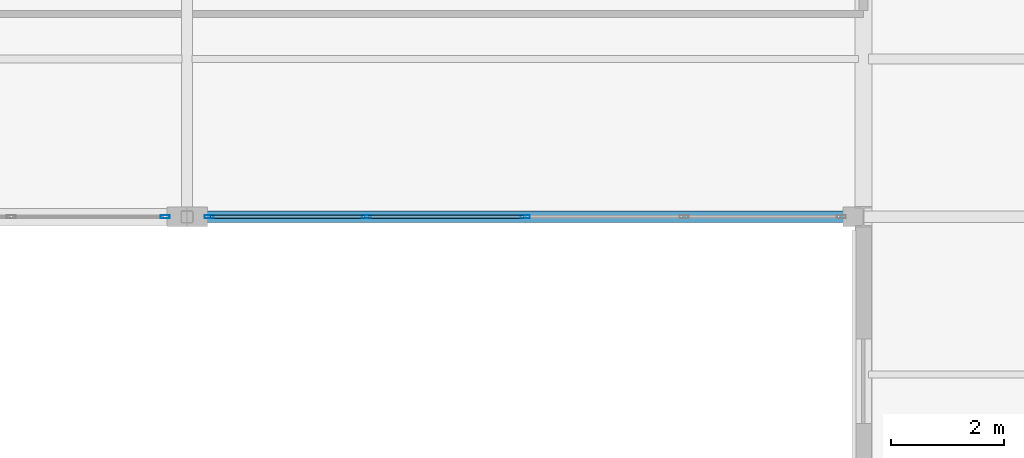
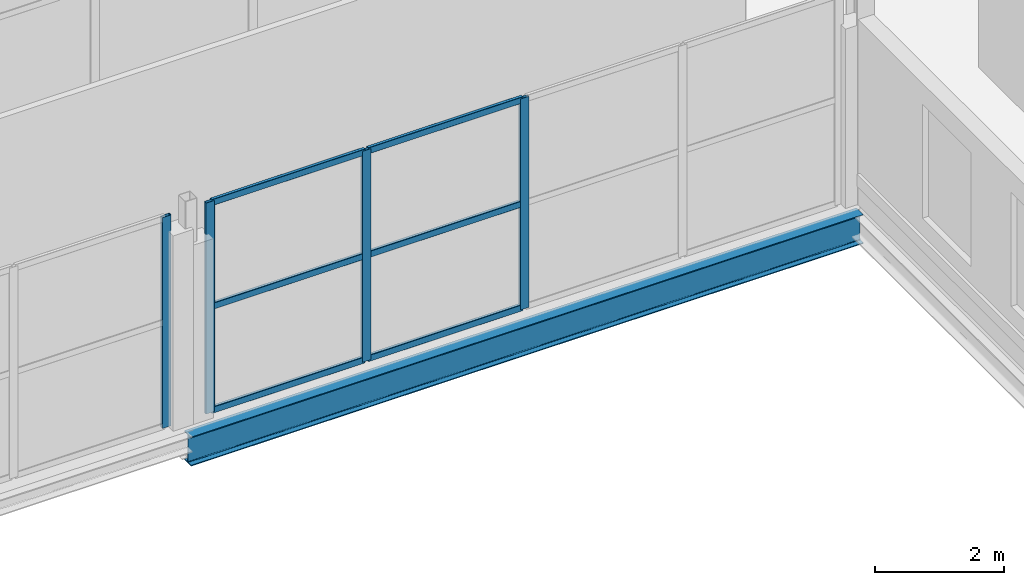
# One storey, part 55 of 101: 10 members, 1 beam, 2 elements without a shape of their own.
"""IFC4 building model written with IfcOpenShell, lengths in metres."""

from ifc_helpers import new_model, si_unit, direction, frame, origin, origin_2d, place, context, subcontext, project, spatial, hollow_rectangle, i_section, extrude, material, layer, layer_set, material_profile, profile_set, type_object, element, aggregate, save


model = new_model("IFC4")

# Units and contexts
model_context = context("Model", 3, precision=1e-05, world=origin(), true_north=direction((0.0, 1.0)))
body_context = subcontext(model_context, "Body", "Model", "MODEL_VIEW")
ifc_project = project(units=[si_unit("LENGTHUNIT", "METRE"), si_unit("AREAUNIT", "SQUARE_METRE"), si_unit("VOLUMEUNIT", "CUBIC_METRE"), si_unit("PLANEANGLEUNIT", "RADIAN"), si_unit("MASSUNIT", "GRAM", prefix="KILO")], contexts=[model_context])

# Site, building, storey
site_placement = place(None, origin())
site = spatial("IfcSite", under=ifc_project, at=site_placement, CompositionType="ELEMENT")
building_placement = place(site_placement, origin())
building = spatial("IfcBuilding", under=site, at=building_placement, Name="Vekula Escarpment Museum", CompositionType="ELEMENT")
storey_placement = place(building_placement, frame((0.0, 0.0, 18.0)))
storey = spatial("IfcBuildingStorey", under=building, at=storey_placement, Name="L04", CompositionType="ELEMENT", Elevation=18.0)

# Beam
ifc_material_1 = material(Name="Steel S355", Category="steel")
ifc_material_profile_1 = material_profile(ifc_material_1, i_section(OverallWidth=0.2099609375, OverallDepth=0.550048828125, WebThickness=0.010986328125, FlangeThickness=0.01708984375, FilletRadius=0.02392578125, at=origin_2d()), Name="IPE 550")
ifc_profile_set_1 = profile_set([ifc_material_profile_1], Name="Steel S355")
beam_type = type_object("IfcBeamType", Name="BM-GIRD-IPE550", PredefinedType="BEAM", material=ifc_profile_set_1)
beam_placement = place(storey_placement, frame((155.0, 68.0, -0.554931640625), z_axis=(1.0, 0.0, 0.0), x_axis=(0.0, 1.0, 0.0)))
element("IfcBeam", 1, at=beam_placement, inside=storey, type_object=beam_type, Name="Beam X L04 1737", PredefinedType="BEAM", context=body_context, shape_type="SweptSolid", body=[
    extrude(i_section(OverallWidth=0.2099609375, OverallDepth=0.550048828125, WebThickness=0.010986328125, FlangeThickness=0.01708984375, FilletRadius=0.02392578125, at=origin_2d()), origin(), (0.0, 0.0, 1.0), 12.0),
])

# Curtain wall, member
ifc_material_2 = material(Name="Aluminium thermally broken framing", Category="aluminium")
ifc_layer_1 = layer(ifc_material_2, 0.199951171875)
ifc_layer_set_1 = layer_set([ifc_layer_1], Name="Aluminium thermally broken framing")
curtain_wall_type_1 = type_object("IfcCurtainWallType", Name="CW-SYS-04", PredefinedType="NOTDEFINED", material=ifc_layer_set_1)
curtain_wall_1_placement = place(storey_placement, origin())
curtain_wall_1 = element("IfcCurtainWall", 2, at=curtain_wall_1_placement, inside=storey, type_object=curtain_wall_type_1, Name="Curtain Wall CW-L04-144", PredefinedType="NOTDEFINED")
ifc_material_3 = material(Name="Aluminium anodized mullion", Category="aluminium")
ifc_material_profile_2 = material_profile(ifc_material_3, hollow_rectangle(XDim=0.06005859375, YDim=0.159912109375, WallThickness=0.00390625, InnerFilletRadius=0.00390625, OuterFilletRadius=0.008056640625, at=origin_2d()), Name="ALU 160x60x4")
ifc_profile_set_2 = profile_set([ifc_material_profile_2], Name="Aluminium anodized mullion")
member_type_1 = type_object("IfcMemberType", Name="CW-MUL-160", PredefinedType="MULLION", material=ifc_profile_set_2)
member_1_placement = place(storey_placement, frame((154.610107421875, 68.0, 0.0), z_axis=(0.0, 0.0, 1.0), x_axis=(0.0, 1.0, 0.0)))
member_1 = element("IfcMember", 3, at=member_1_placement, type_object=member_type_1, Name="CW-04 mullion 4", PredefinedType="MULLION", context=body_context, shape_type="SweptSolid", body=[
    extrude(hollow_rectangle(XDim=0.06005859375, YDim=0.159912109375, WallThickness=0.00390625, InnerFilletRadius=0.00390625, OuterFilletRadius=0.008056640625, at=origin_2d()), origin(), (0.0, 0.0, 1.0), 3.97998046875),
])
aggregate(curtain_wall_1, [member_1])

# Curtain wall, members
ifc_material_4 = material(Name="Aluminium thermally broken framing", Category="aluminium")
ifc_layer_2 = layer(ifc_material_4, 0.159912109375)
ifc_layer_set_2 = layer_set([ifc_layer_2], Name="Aluminium thermally broken framing")
curtain_wall_type_2 = type_object("IfcCurtainWallType", Name="CW-SYS-05", PredefinedType="NOTDEFINED", material=ifc_layer_set_2)
curtain_wall_2_placement = place(storey_placement, origin())
curtain_wall_2 = element("IfcCurtainWall", 4, at=curtain_wall_2_placement, inside=storey, type_object=curtain_wall_type_2, Name="Curtain Wall CW-L04-145", PredefinedType="NOTDEFINED")
member_2_placement = place(storey_placement, frame((155.389892578125, 68.0, 0.0), z_axis=(0.0, 0.0, 1.0), x_axis=(0.0, 1.0, 0.0)))
member_2 = element("IfcMember", 5, at=member_2_placement, type_object=member_type_1, Name="CW-05 mullion 1", PredefinedType="MULLION", context=body_context, shape_type="SweptSolid", body=[
    extrude(hollow_rectangle(XDim=0.06005859375, YDim=0.159912109375, WallThickness=0.00390625, InnerFilletRadius=0.00390625, OuterFilletRadius=0.008056640625, at=origin_2d()), origin(), (0.0, 0.0, 1.0), 3.97998046875),
])
member_3_placement = place(storey_placement, frame((158.179931640625, 68.0, 0.0), z_axis=(0.0, 0.0, 1.0), x_axis=(0.0, 1.0, 0.0)))
member_3 = element("IfcMember", 6, at=member_3_placement, type_object=member_type_1, Name="CW-05 mullion 2", PredefinedType="MULLION", context=body_context, shape_type="SweptSolid", body=[
    extrude(hollow_rectangle(XDim=0.06005859375, YDim=0.159912109375, WallThickness=0.00390625, InnerFilletRadius=0.00390625, OuterFilletRadius=0.008056640625, at=origin_2d()), origin(), (0.0, 0.0, 1.0), 3.97998046875),
])
member_4_placement = place(storey_placement, frame((161.0, 68.0, 0.0), z_axis=(0.0, 0.0, 1.0), x_axis=(0.0, 1.0, 0.0)))
member_4 = element("IfcMember", 7, at=member_4_placement, type_object=member_type_1, Name="CW-05 mullion 3", PredefinedType="MULLION", context=body_context, shape_type="SweptSolid", body=[
    extrude(hollow_rectangle(XDim=0.06005859375, YDim=0.159912109375, WallThickness=0.00390625, InnerFilletRadius=0.00390625, OuterFilletRadius=0.008056640625, at=origin_2d()), origin(), (0.0, 0.0, 1.0), 3.97998046875),
])
ifc_material_5 = material(Name="Aluminium anodized transom", Category="aluminium")
ifc_material_profile_3 = material_profile(ifc_material_5, hollow_rectangle(XDim=0.06005859375, YDim=0.1201171875, WallThickness=0.00390625, InnerFilletRadius=0.00390625, OuterFilletRadius=0.008056640625, at=origin_2d()), Name="ALU 120x60x4")
ifc_profile_set_3 = profile_set([ifc_material_profile_3], Name="Aluminium anodized transom")
member_type_2 = type_object("IfcMemberType", Name="CW-TRN-120", PredefinedType="USERDEFINED", material=ifc_profile_set_3)
member_5_placement = place(storey_placement, frame((155.419921875, 68.0, 0.030029296875), z_axis=(1.0, 0.0, 0.0), x_axis=(0.0, 1.0, 0.0)))
member_5 = element("IfcMember", 8, at=member_5_placement, type_object=member_type_2, Name="CW-05 transom 1.1", ObjectType="TRANSOM", PredefinedType="USERDEFINED", context=body_context, shape_type="SweptSolid", body=[
    extrude(hollow_rectangle(XDim=0.06005859375, YDim=0.1201171875, WallThickness=0.00390625, InnerFilletRadius=0.00390625, OuterFilletRadius=0.008056640625, at=origin_2d()), origin(), (0.0, 0.0, 1.0), 2.72998046875),
])
member_6_placement = place(storey_placement, frame((155.419921875, 68.0, 1.989990234375), z_axis=(1.0, 0.0, 0.0), x_axis=(0.0, 1.0, 0.0)))
member_6 = element("IfcMember", 9, at=member_6_placement, type_object=member_type_2, Name="CW-05 transom 1.2", ObjectType="TRANSOM", PredefinedType="USERDEFINED", context=body_context, shape_type="SweptSolid", body=[
    extrude(hollow_rectangle(XDim=0.06005859375, YDim=0.1201171875, WallThickness=0.00390625, InnerFilletRadius=0.00390625, OuterFilletRadius=0.008056640625, at=origin_2d()), origin(), (0.0, 0.0, 1.0), 2.72998046875),
])
member_7_placement = place(storey_placement, frame((155.419921875, 68.0, 3.949951171875), z_axis=(1.0, 0.0, 0.0), x_axis=(0.0, 1.0, 0.0)))
member_7 = element("IfcMember", 10, at=member_7_placement, type_object=member_type_2, Name="CW-05 transom 1.3", ObjectType="TRANSOM", PredefinedType="USERDEFINED", context=body_context, shape_type="SweptSolid", body=[
    extrude(hollow_rectangle(XDim=0.06005859375, YDim=0.1201171875, WallThickness=0.00390625, InnerFilletRadius=0.00390625, OuterFilletRadius=0.008056640625, at=origin_2d()), origin(), (0.0, 0.0, 1.0), 2.72998046875),
])
member_8_placement = place(storey_placement, frame((158.2099609375, 68.0, 0.030029296875), z_axis=(1.0, 0.0, 0.0), x_axis=(0.0, 1.0, 0.0)))
member_8 = element("IfcMember", 11, at=member_8_placement, type_object=member_type_2, Name="CW-05 transom 2.1", ObjectType="TRANSOM", PredefinedType="USERDEFINED", context=body_context, shape_type="SweptSolid", body=[
    extrude(hollow_rectangle(XDim=0.06005859375, YDim=0.1201171875, WallThickness=0.00390625, InnerFilletRadius=0.00390625, OuterFilletRadius=0.008056640625, at=origin_2d()), origin(), (0.0, 0.0, 1.0), 2.760009765625),
])
member_9_placement = place(storey_placement, frame((158.2099609375, 68.0, 1.989990234375), z_axis=(1.0, 0.0, 0.0), x_axis=(0.0, 1.0, 0.0)))
member_9 = element("IfcMember", 12, at=member_9_placement, type_object=member_type_2, Name="CW-05 transom 2.2", ObjectType="TRANSOM", PredefinedType="USERDEFINED", context=body_context, shape_type="SweptSolid", body=[
    extrude(hollow_rectangle(XDim=0.06005859375, YDim=0.1201171875, WallThickness=0.00390625, InnerFilletRadius=0.00390625, OuterFilletRadius=0.008056640625, at=origin_2d()), origin(), (0.0, 0.0, 1.0), 2.760009765625),
])
member_10_placement = place(storey_placement, frame((158.2099609375, 68.0, 3.949951171875), z_axis=(1.0, 0.0, 0.0), x_axis=(0.0, 1.0, 0.0)))
member_10 = element("IfcMember", 13, at=member_10_placement, type_object=member_type_2, Name="CW-05 transom 2.3", ObjectType="TRANSOM", PredefinedType="USERDEFINED", context=body_context, shape_type="SweptSolid", body=[
    extrude(hollow_rectangle(XDim=0.06005859375, YDim=0.1201171875, WallThickness=0.00390625, InnerFilletRadius=0.00390625, OuterFilletRadius=0.008056640625, at=origin_2d()), origin(), (0.0, 0.0, 1.0), 2.760009765625),
])
aggregate(curtain_wall_2, [member_2, member_3, member_4, member_5, member_6, member_7, member_8, member_9, member_10])

save(model, "model.ifc")
